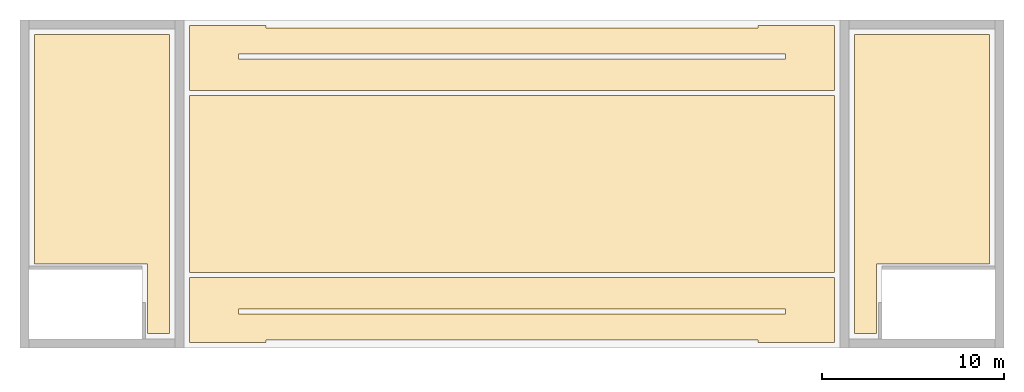
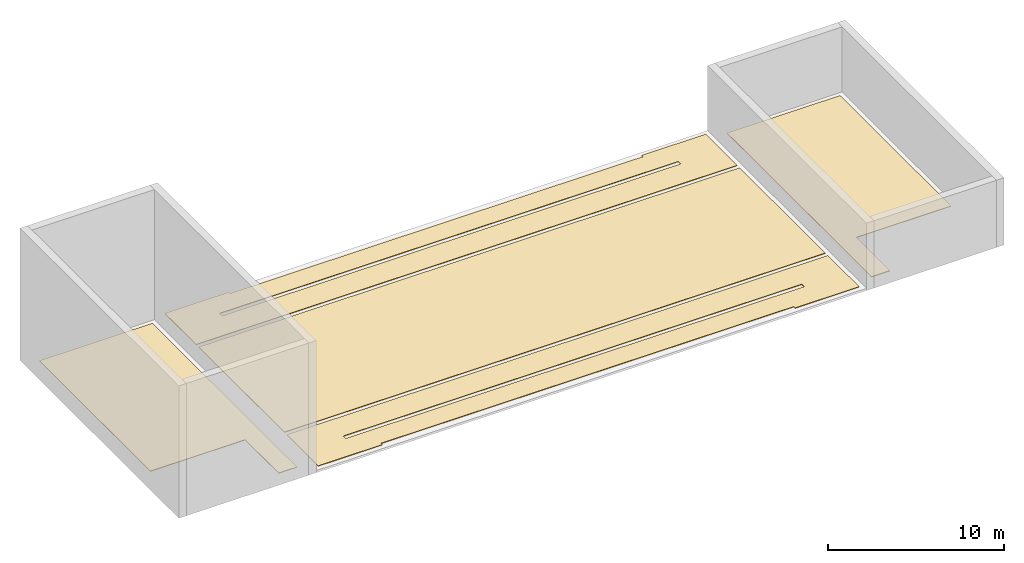
# One storey, part 2 of 2: 5 coverings.
"""IFC4 building model written with IfcOpenShell, lengths in metres."""

from ifc_helpers import new_model, si_unit, direction, frame, origin, place, context, subcontext, project, spatial, polyline, outline, extrude, material, layer, layer_set, type_object, element, save


model = new_model("IFC4")

# Units and contexts
model_context = context("Model", 3, precision=1e-05, world=origin(), true_north=direction((0.0, 1.0)))
body_context = subcontext(model_context, "Body", "Model", "MODEL_VIEW")
ifc_project = project(units=[si_unit("LENGTHUNIT", "METRE"), si_unit("AREAUNIT", "SQUARE_METRE"), si_unit("VOLUMEUNIT", "CUBIC_METRE"), si_unit("PLANEANGLEUNIT", "RADIAN"), si_unit("MASSUNIT", "GRAM", prefix="KILO")], contexts=[model_context])

# Site, building, storey
site_placement = place(None, origin())
site = spatial("IfcSite", under=ifc_project, at=site_placement, CompositionType="ELEMENT")
building_placement = place(site_placement, origin())
building = spatial("IfcBuilding", under=site, at=building_placement, Name="Corbel Yard City Hall", CompositionType="ELEMENT")
storey_placement = place(building_placement, frame((0.0, 0.0, 76.0)))
storey = spatial("IfcBuildingStorey", under=building, at=storey_placement, Name="ROOF", CompositionType="ELEMENT", Elevation=76.0)

# Coverings
ifc_material = material(Name="Bituminous membrane", Category="membrane")
ifc_layer = layer(ifc_material, 0.0400390625)
ifc_layer_set = layer_set([ifc_layer], Name="Bituminous membrane")
covering_type = type_object("IfcCoveringType", Name="RF1", PredefinedType="ROOFING", material=ifc_layer_set)
covering_1_placement = place(storey_placement, origin())
element("IfcCovering", 1, at=covering_1_placement, inside=storey, type_object=covering_type, Name="Roofing membrane", PredefinedType="ROOFING", context=body_context, shape_type="SweptSolid", body=[
    extrude(outline(polyline([(44.699951171875, 99.300048828125), (40.5, 99.300048828125), (40.5, 99.449951171875), (13.5, 99.449951171875), (13.5, 99.300048828125), (9.300048828125, 99.300048828125), (9.300048828125, 102.860107421875), (44.699951171875, 102.860107421875), (44.699951171875, 99.300048828125)]), holes=[polyline([(42.0, 101.139892578125), (12.0, 101.139892578125), (12.0, 100.860107421875), (42.0, 100.860107421875), (42.0, 101.139892578125)])]), origin(), (0.0, 0.0, 1.0), 0.0400390625),
])
covering_2_placement = place(storey_placement, origin())
element("IfcCovering", 2, at=covering_2_placement, inside=storey, type_object=covering_type, Name="Roofing membrane", PredefinedType="ROOFING", context=body_context, shape_type="SweptSolid", body=[
    extrude(outline(polyline([(13.5, 116.550048828125), (40.5, 116.550048828125), (40.5, 116.699951171875), (44.699951171875, 116.699951171875), (44.699951171875, 113.139892578125), (9.300048828125, 113.139892578125), (9.300048828125, 116.699951171875), (13.5, 116.699951171875), (13.5, 116.550048828125)]), holes=[polyline([(12.0, 114.860107421875), (42.0, 114.860107421875), (42.0, 115.139892578125), (12.0, 115.139892578125), (12.0, 114.860107421875)])]), origin(), (0.0, 0.0, 1.0), 0.0400390625),
])
covering_3_placement = place(storey_placement, origin())
element("IfcCovering", 3, at=covering_3_placement, inside=storey, type_object=covering_type, Name="Roofing membrane", PredefinedType="ROOFING", context=body_context, shape_type="SweptSolid", body=[
    extrude(outline(polyline([(44.699951171875, 103.139892578125), (9.300048828125, 103.139892578125), (9.300048828125, 112.860107421875), (44.699951171875, 112.860107421875), (44.699951171875, 103.139892578125)])), origin(), (0.0, 0.0, 1.0), 0.0400390625),
])
covering_4_placement = place(storey_placement, origin())
element("IfcCovering", 4, at=covering_4_placement, inside=storey, type_object=covering_type, Name="Roofing membrane", PredefinedType="ROOFING", context=body_context, shape_type="SweptSolid", body=[
    extrude(outline(polyline([(8.199951171875, 99.800048828125), (6.9990234375, 99.800048828125), (6.9990234375, 103.60009765625), (0.800048828125, 103.60009765625), (0.800048828125, 116.199951171875), (8.199951171875, 116.199951171875), (8.199951171875, 99.800048828125)])), origin(), (0.0, 0.0, 1.0), 0.0400390625),
])
covering_5_placement = place(storey_placement, origin())
element("IfcCovering", 5, at=covering_5_placement, inside=storey, type_object=covering_type, Name="Roofing membrane", PredefinedType="ROOFING", context=body_context, shape_type="SweptSolid", body=[
    extrude(outline(polyline([(53.199951171875, 116.199951171875), (53.199951171875, 103.60009765625), (47.0009765625, 103.60009765625), (47.0009765625, 99.800048828125), (45.800048828125, 99.800048828125), (45.800048828125, 116.199951171875), (53.199951171875, 116.199951171875)])), origin(), (0.0, 0.0, 1.0), 0.0400390625),
])

save(model, "model.ifc")
